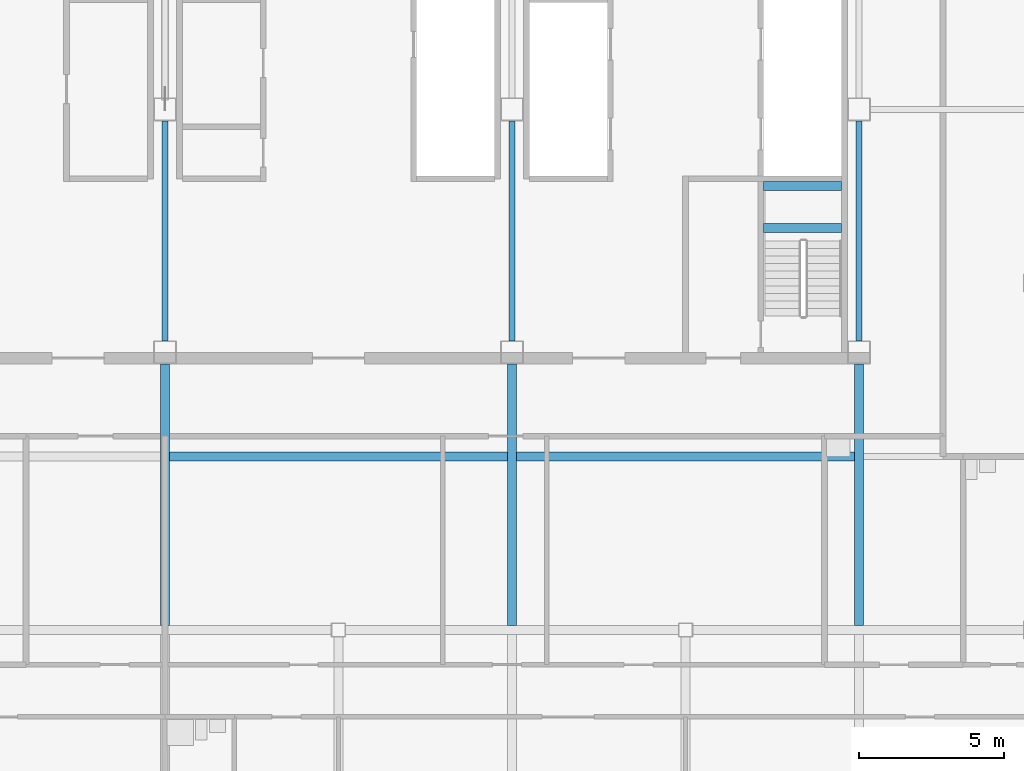
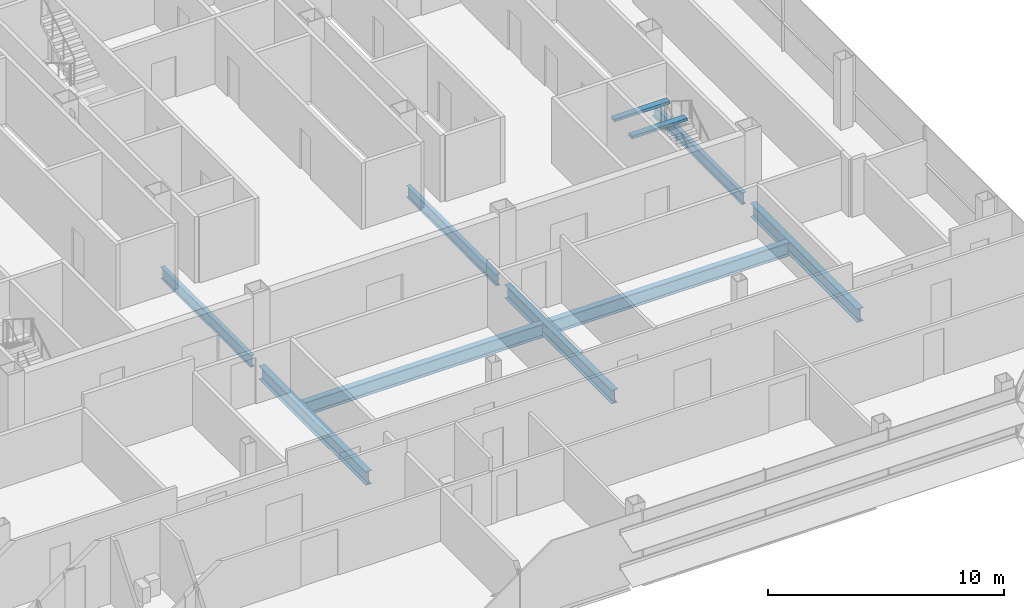
# One storey, part 11 of 27: 10 beams.
"""IFC4 building model written with IfcOpenShell, lengths in metres."""

from ifc_helpers import new_model, si_unit, direction, frame, origin, origin_2d, place, context, subcontext, project, spatial, rectangle, i_section, extrude, material, material_profile, profile_set, type_object, element, save


model = new_model("IFC4")

# Units and contexts
model_context = context("Model", 3, precision=1e-05, world=origin(), true_north=direction((0.0, 1.0)))
body_context = subcontext(model_context, "Body", "Model", "MODEL_VIEW")
ifc_project = project(units=[si_unit("LENGTHUNIT", "METRE"), si_unit("AREAUNIT", "SQUARE_METRE"), si_unit("VOLUMEUNIT", "CUBIC_METRE"), si_unit("PLANEANGLEUNIT", "RADIAN"), si_unit("MASSUNIT", "GRAM", prefix="KILO")], contexts=[model_context])

# Site, building, storey
site_placement = place(None, origin())
site = spatial("IfcSite", under=ifc_project, at=site_placement, CompositionType="ELEMENT")
building_placement = place(site_placement, origin())
building = spatial("IfcBuilding", under=site, at=building_placement, Name="Sorahane Residences", CompositionType="ELEMENT")
storey_placement = place(building_placement, frame((0.0, 0.0, 294.39990234375)))
storey = spatial("IfcBuildingStorey", under=building, at=storey_placement, Name="L69", CompositionType="ELEMENT", Elevation=294.39990234375)

# Beams
ifc_material_1 = material(Name="Concrete C40", Category="concrete")
ifc_material_profile_1 = material_profile(ifc_material_1, rectangle(XDim=0.300048828125, YDim=0.139892578125, at=origin_2d()), Name="300x140")
ifc_profile_set_1 = profile_set([ifc_material_profile_1], Name="Concrete C40")
beam_type_1 = type_object("IfcBeamType", Name="RC landing beam 300 x 140 Concrete C40", PredefinedType="BEAM", material=ifc_profile_set_1)
for number, where, z_axis, x_axis, name in (
    (1, (38.699951171875, 25.89990234375, 1.530029296875), (1.0, 0.0, 0.0), (0.0, 1.0, 0.0), "Landing beam"),
    (2, (38.699951171875, 27.35009765625, 1.530029296875), (1.0, 0.0, 0.0), (0.0, 1.0, 0.0), "Landing beam"),
):
    element("IfcBeam", number, at=place(storey_placement, frame(where, z_axis=z_axis, x_axis=x_axis)), inside=storey, type_object=beam_type_1, Name=name, PredefinedType="BEAM", context=body_context, shape_type="SweptSolid", body=[
        extrude(rectangle(XDim=0.300048828125, YDim=0.139892578125, at=origin_2d()), origin(), (0.0, 0.0, 1.0), 2.699951171875),
    ])
ifc_material_2 = material(Name="Steel Q355B", Category="steel")
ifc_material_profile_2 = material_profile(ifc_material_2, i_section(OverallWidth=0.199951171875, OverallDepth=0.60009765625, WebThickness=0.010986328125, FlangeThickness=0.01708984375, FilletRadius=0.02392578125, at=origin_2d()), Name="HN 600x200x11x17")
ifc_profile_set_2 = profile_set([ifc_material_profile_2], Name="Steel Q355B")
beam_type_2 = type_object("IfcBeamType", Name="Steel floor beam HN 600x200x11x17 Q355B", PredefinedType="BEAM", material=ifc_profile_set_2)
for number, where, z_axis, x_axis, name in (
    (3, (18.0, 22.0, -0.47998046875), (0.0, 1.0, 0.0), (-1.0, 0.0, 0.0), "Beam L69 042"),
    (4, (30.0, 22.0, -0.47998046875), (0.0, 1.0, 0.0), (-1.0, 0.0, 0.0), "Beam L69 050"),
    (5, (42.0, 22.0, -0.47998046875), (0.0, 1.0, 0.0), (-1.0, 0.0, 0.0), "Beam L69 058"),
):
    element("IfcBeam", number, at=place(storey_placement, frame(where, z_axis=z_axis, x_axis=x_axis)), inside=storey, type_object=beam_type_2, Name=name, PredefinedType="BEAM", context=body_context, shape_type="SweptSolid", body=[
        extrude(i_section(OverallWidth=0.199951171875, OverallDepth=0.60009765625, WebThickness=0.010986328125, FlangeThickness=0.01708984375, FilletRadius=0.02392578125, at=origin_2d()), origin(), (0.0, 0.0, 1.0), 7.60009765625),
    ])
ifc_material_3 = material(Name="Steel Q355B", Category="steel")
ifc_material_profile_3 = material_profile(ifc_material_3, i_section(OverallWidth=0.300048828125, OverallDepth=0.699951171875, WebThickness=0.012939453125, FlangeThickness=0.02392578125, FilletRadius=0.028076171875, at=origin_2d()), Name="HN 700x300x13x24")
ifc_profile_set_3 = profile_set([ifc_material_profile_3], Name="Steel Q355B")
beam_type_3 = type_object("IfcBeamType", Name="Steel floor beam HN 700x300x13x24 Q355B", PredefinedType="BEAM", material=ifc_profile_set_3)
for number, where, z_axis, x_axis, name in (
    (6, (18.0, 12.14990234375, -0.52978515625), (0.0, 1.0, 0.0), (-1.0, 0.0, 0.0), "Beam L69 041"),
    (7, (30.0, 12.14990234375, -0.52978515625), (0.0, 1.0, 0.0), (-1.0, 0.0, 0.0), "Beam L69 049"),
    (8, (42.0, 12.14990234375, -0.52978515625), (0.0, 1.0, 0.0), (-1.0, 0.0, 0.0), "Beam L69 057"),
):
    element("IfcBeam", number, at=place(storey_placement, frame(where, z_axis=z_axis, x_axis=x_axis)), inside=storey, type_object=beam_type_3, Name=name, PredefinedType="BEAM", context=body_context, shape_type="SweptSolid", body=[
        extrude(i_section(OverallWidth=0.300048828125, OverallDepth=0.699951171875, WebThickness=0.012939453125, FlangeThickness=0.02392578125, FilletRadius=0.028076171875, at=origin_2d()), origin(), (0.0, 0.0, 1.0), 9.050048828125),
    ])
for number, where, z_axis, x_axis, name in (
    (9, (18.14990234375, 18.0, -0.52978515625), (1.0, 0.0, 0.0), (0.0, 1.0, 0.0), "Beam L69 080"),
    (10, (30.14990234375, 18.0, -0.52978515625), (1.0, 0.0, 0.0), (0.0, 1.0, 0.0), "Beam L69 081"),
):
    element("IfcBeam", number, at=place(storey_placement, frame(where, z_axis=z_axis, x_axis=x_axis)), inside=storey, type_object=beam_type_3, Name=name, PredefinedType="BEAM", context=body_context, shape_type="SweptSolid", body=[
        extrude(i_section(OverallWidth=0.300048828125, OverallDepth=0.699951171875, WebThickness=0.012939453125, FlangeThickness=0.02392578125, FilletRadius=0.028076171875, at=origin_2d()), origin(), (0.0, 0.0, 1.0), 11.7001953125),
    ])

save(model, "model.ifc")
